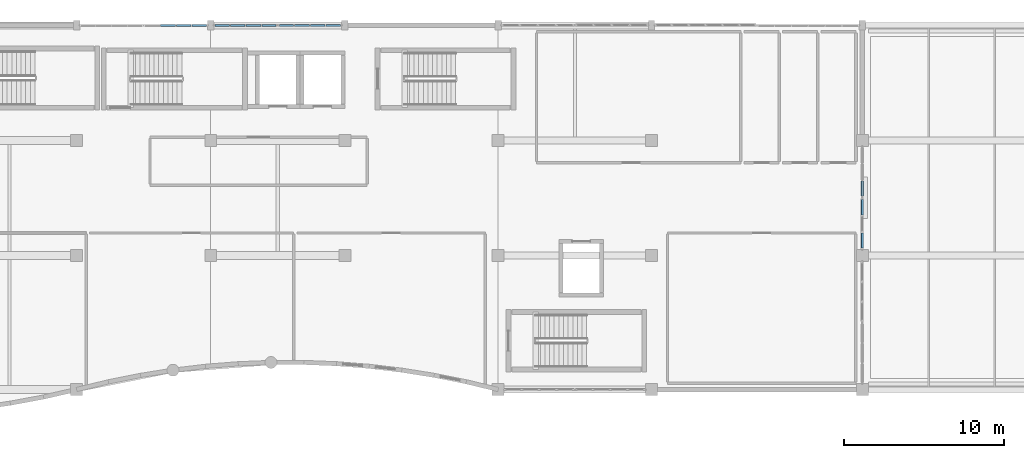
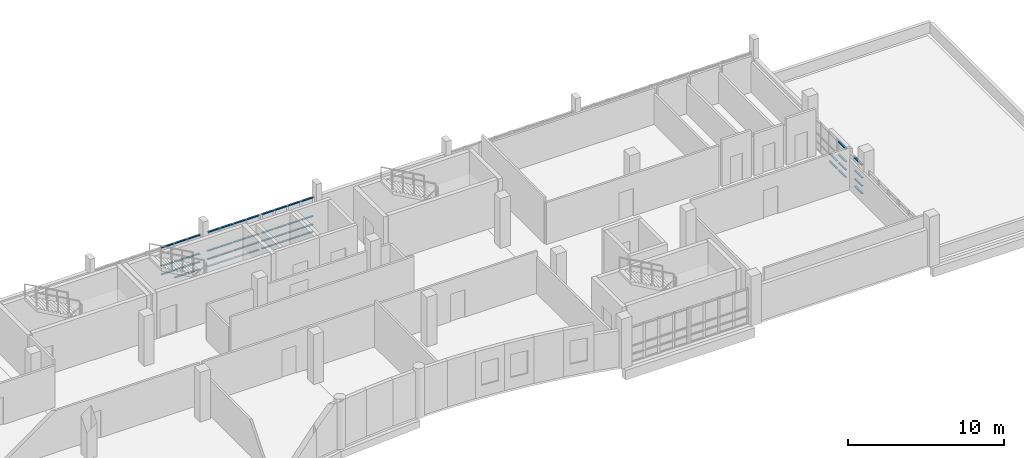
# One storey, part 153 of 188: 53 members, 5 elements without a shape of their own.
"""IFC4 building model written with IfcOpenShell, lengths in metres."""

from ifc_helpers import new_model, si_unit, direction, frame, origin, origin_2d, place, context, subcontext, project, spatial, hollow_rectangle, extrude, material, layer, layer_set, material_profile, profile_set, type_object, element, aggregate, save


model = new_model("IFC4")

# Units and contexts
model_context = context("Model", 3, precision=1e-05, world=origin(), true_north=direction((0.0, 1.0)))
body_context = subcontext(model_context, "Body", "Model", "MODEL_VIEW")
ifc_project = project(units=[si_unit("LENGTHUNIT", "METRE"), si_unit("AREAUNIT", "SQUARE_METRE"), si_unit("VOLUMEUNIT", "CUBIC_METRE"), si_unit("PLANEANGLEUNIT", "RADIAN"), si_unit("MASSUNIT", "GRAM", prefix="KILO")], contexts=[model_context])

# Site, building, storey
site_placement = place(None, origin())
site = spatial("IfcSite", under=ifc_project, at=site_placement, CompositionType="ELEMENT")
building_placement = place(site_placement, origin())
building = spatial("IfcBuilding", under=site, at=building_placement, Name="Kisaragi Civic Commons", CompositionType="ELEMENT")
storey_placement = place(building_placement, frame((0.0, 0.0, 9.60009765625)))
storey = spatial("IfcBuildingStorey", under=building, at=storey_placement, Name="L02", CompositionType="ELEMENT", Elevation=9.60009765625)

# Curtain wall, members
ifc_material = material(Name="Thermally broken anodized aluminium and low-E double glazing", Category="aluminium")
ifc_layer = layer(ifc_material, 0.179931640625, Name="Thermally broken anodized aluminium and low-E double glazing", Category="aluminium")
ifc_layer_set = layer_set([ifc_layer], Name="Thermally broken anodized aluminium and low-E double glazing")
curtain_wall_type = type_object("IfcCurtainWallType", Name="CW-01", PredefinedType="NOTDEFINED", material=ifc_layer_set)
curtain_wall_1_placement = place(storey_placement, origin())
curtain_wall_1 = element("IfcCurtainWall", 1, at=curtain_wall_1_placement, inside=storey, type_object=curtain_wall_type, Name="L02 curtain wall CW-01 CW-V4-L02-082", PredefinedType="NOTDEFINED")
ifc_material_profile = material_profile(ifc_material, hollow_rectangle(XDim=0.139892578125, YDim=0.06494140625, WallThickness=0.00439453125, InnerFilletRadius=0.00439453125, OuterFilletRadius=0.009033203125, at=origin_2d()), Name="CWT-65x140x4.5", Category="aluminium")
ifc_profile_set = profile_set([ifc_material_profile], Name="Thermally broken anodized aluminium and low-E double glazing")
member_type = type_object("IfcMemberType", Name="CWT-02", PredefinedType="USERDEFINED", material=ifc_profile_set)
member_1_placement = place(storey_placement, frame((102.458740234375, 118.800048828125, 0.64990234375), z_axis=(1.0, 0.0, 0.0), x_axis=(0.0, 1.0, 0.0)))
member_1 = element("IfcMember", 2, at=member_1_placement, type_object=member_type, Name="CW-01 transom 2.2", ObjectType="TRANSOM", PredefinedType="USERDEFINED", context=body_context, shape_type="SweptSolid", body=[
    extrude(hollow_rectangle(XDim=0.139892578125, YDim=0.06494140625, WallThickness=0.00439453125, InnerFilletRadius=0.00439453125, OuterFilletRadius=0.009033203125, at=origin_2d()), origin(), (0.0, 0.0, 1.0), 0.921142578125),
])
member_2_placement = place(storey_placement, frame((102.458740234375, 118.800048828125, 1.2998046875), z_axis=(1.0, 0.0, 0.0), x_axis=(0.0, 1.0, 0.0)))
member_2 = element("IfcMember", 3, at=member_2_placement, type_object=member_type, Name="CW-01 transom 2.3", ObjectType="TRANSOM", PredefinedType="USERDEFINED", context=body_context, shape_type="SweptSolid", body=[
    extrude(hollow_rectangle(XDim=0.139892578125, YDim=0.06494140625, WallThickness=0.00439453125, InnerFilletRadius=0.00439453125, OuterFilletRadius=0.009033203125, at=origin_2d()), origin(), (0.0, 0.0, 1.0), 0.921142578125),
])
member_3_placement = place(storey_placement, frame((102.458740234375, 118.800048828125, 2.760009765625), z_axis=(1.0, 0.0, 0.0), x_axis=(0.0, 1.0, 0.0)))
member_3 = element("IfcMember", 4, at=member_3_placement, type_object=member_type, Name="CW-01 transom 2.4", ObjectType="TRANSOM", PredefinedType="USERDEFINED", context=body_context, shape_type="SweptSolid", body=[
    extrude(hollow_rectangle(XDim=0.139892578125, YDim=0.06494140625, WallThickness=0.00439453125, InnerFilletRadius=0.00439453125, OuterFilletRadius=0.009033203125, at=origin_2d()), origin(), (0.0, 0.0, 1.0), 0.921142578125),
])
member_4_placement = place(storey_placement, frame((103.445068359375, 118.800048828125, 0.06982421875), z_axis=(1.0, 0.0, 0.0), x_axis=(0.0, 1.0, 0.0)))
member_4 = element("IfcMember", 5, at=member_4_placement, type_object=member_type, Name="CW-01 transom 3.1", ObjectType="TRANSOM", PredefinedType="USERDEFINED", context=body_context, shape_type="SweptSolid", body=[
    extrude(hollow_rectangle(XDim=0.139892578125, YDim=0.06494140625, WallThickness=0.00439453125, InnerFilletRadius=0.00439453125, OuterFilletRadius=0.009033203125, at=origin_2d()), origin(), (0.0, 0.0, 1.0), 0.921142578125),
])
member_5_placement = place(storey_placement, frame((103.445068359375, 118.800048828125, 0.64990234375), z_axis=(1.0, 0.0, 0.0), x_axis=(0.0, 1.0, 0.0)))
member_5 = element("IfcMember", 6, at=member_5_placement, type_object=member_type, Name="CW-01 transom 3.2", ObjectType="TRANSOM", PredefinedType="USERDEFINED", context=body_context, shape_type="SweptSolid", body=[
    extrude(hollow_rectangle(XDim=0.139892578125, YDim=0.06494140625, WallThickness=0.00439453125, InnerFilletRadius=0.00439453125, OuterFilletRadius=0.009033203125, at=origin_2d()), origin(), (0.0, 0.0, 1.0), 0.921142578125),
])
member_6_placement = place(storey_placement, frame((103.445068359375, 118.800048828125, 1.2998046875), z_axis=(1.0, 0.0, 0.0), x_axis=(0.0, 1.0, 0.0)))
member_6 = element("IfcMember", 7, at=member_6_placement, type_object=member_type, Name="CW-01 transom 3.3", ObjectType="TRANSOM", PredefinedType="USERDEFINED", context=body_context, shape_type="SweptSolid", body=[
    extrude(hollow_rectangle(XDim=0.139892578125, YDim=0.06494140625, WallThickness=0.00439453125, InnerFilletRadius=0.00439453125, OuterFilletRadius=0.009033203125, at=origin_2d()), origin(), (0.0, 0.0, 1.0), 0.921142578125),
])
member_7_placement = place(storey_placement, frame((103.445068359375, 118.800048828125, 2.760009765625), z_axis=(1.0, 0.0, 0.0), x_axis=(0.0, 1.0, 0.0)))
member_7 = element("IfcMember", 8, at=member_7_placement, type_object=member_type, Name="CW-01 transom 3.4", ObjectType="TRANSOM", PredefinedType="USERDEFINED", context=body_context, shape_type="SweptSolid", body=[
    extrude(hollow_rectangle(XDim=0.139892578125, YDim=0.06494140625, WallThickness=0.00439453125, InnerFilletRadius=0.00439453125, OuterFilletRadius=0.009033203125, at=origin_2d()), origin(), (0.0, 0.0, 1.0), 0.921142578125),
])
member_8_placement = place(storey_placement, frame((104.43115234375, 118.800048828125, 0.06982421875), z_axis=(1.0, 0.0, 0.0), x_axis=(0.0, 1.0, 0.0)))
member_8 = element("IfcMember", 9, at=member_8_placement, type_object=member_type, Name="CW-01 transom 4.1", ObjectType="TRANSOM", PredefinedType="USERDEFINED", context=body_context, shape_type="SweptSolid", body=[
    extrude(hollow_rectangle(XDim=0.139892578125, YDim=0.06494140625, WallThickness=0.00439453125, InnerFilletRadius=0.00439453125, OuterFilletRadius=0.009033203125, at=origin_2d()), origin(), (0.0, 0.0, 1.0), 0.888916015625),
])
member_9_placement = place(storey_placement, frame((104.43115234375, 118.800048828125, 0.64990234375), z_axis=(1.0, 0.0, 0.0), x_axis=(0.0, 1.0, 0.0)))
member_9 = element("IfcMember", 10, at=member_9_placement, type_object=member_type, Name="CW-01 transom 4.2", ObjectType="TRANSOM", PredefinedType="USERDEFINED", context=body_context, shape_type="SweptSolid", body=[
    extrude(hollow_rectangle(XDim=0.139892578125, YDim=0.06494140625, WallThickness=0.00439453125, InnerFilletRadius=0.00439453125, OuterFilletRadius=0.009033203125, at=origin_2d()), origin(), (0.0, 0.0, 1.0), 0.888916015625),
])
member_10_placement = place(storey_placement, frame((104.43115234375, 118.800048828125, 1.2998046875), z_axis=(1.0, 0.0, 0.0), x_axis=(0.0, 1.0, 0.0)))
member_10 = element("IfcMember", 11, at=member_10_placement, type_object=member_type, Name="CW-01 transom 4.3", ObjectType="TRANSOM", PredefinedType="USERDEFINED", context=body_context, shape_type="SweptSolid", body=[
    extrude(hollow_rectangle(XDim=0.139892578125, YDim=0.06494140625, WallThickness=0.00439453125, InnerFilletRadius=0.00439453125, OuterFilletRadius=0.009033203125, at=origin_2d()), origin(), (0.0, 0.0, 1.0), 0.888916015625),
])
member_11_placement = place(storey_placement, frame((104.43115234375, 118.800048828125, 2.760009765625), z_axis=(1.0, 0.0, 0.0), x_axis=(0.0, 1.0, 0.0)))
member_11 = element("IfcMember", 12, at=member_11_placement, type_object=member_type, Name="CW-01 transom 4.4", ObjectType="TRANSOM", PredefinedType="USERDEFINED", context=body_context, shape_type="SweptSolid", body=[
    extrude(hollow_rectangle(XDim=0.139892578125, YDim=0.06494140625, WallThickness=0.00439453125, InnerFilletRadius=0.00439453125, OuterFilletRadius=0.009033203125, at=origin_2d()), origin(), (0.0, 0.0, 1.0), 0.888916015625),
])
aggregate(curtain_wall_1, [member_1, member_2, member_3, member_4, member_5, member_6, member_7, member_8, member_9, member_10, member_11])

curtain_wall_2_placement = place(storey_placement, origin())
curtain_wall_2 = element("IfcCurtainWall", 13, at=curtain_wall_2_placement, inside=storey, type_object=curtain_wall_type, Name="L02 curtain wall CW-01 CW-V4-L02-083", PredefinedType="NOTDEFINED")
member_12_placement = place(storey_placement, frame((105.8798828125, 118.800048828125, 0.06982421875), z_axis=(1.0, 0.0, 0.0), x_axis=(0.0, 1.0, 0.0)))
member_12 = element("IfcMember", 14, at=member_12_placement, type_object=member_type, Name="CW-01 transom 1.1", ObjectType="TRANSOM", PredefinedType="USERDEFINED", context=body_context, shape_type="SweptSolid", body=[
    extrude(hollow_rectangle(XDim=0.139892578125, YDim=0.06494140625, WallThickness=0.00439453125, InnerFilletRadius=0.00439453125, OuterFilletRadius=0.009033203125, at=origin_2d()), origin(), (0.0, 0.0, 1.0), 0.888916015625),
])
member_13_placement = place(storey_placement, frame((105.8798828125, 118.800048828125, 0.64990234375), z_axis=(1.0, 0.0, 0.0), x_axis=(0.0, 1.0, 0.0)))
member_13 = element("IfcMember", 15, at=member_13_placement, type_object=member_type, Name="CW-01 transom 1.2", ObjectType="TRANSOM", PredefinedType="USERDEFINED", context=body_context, shape_type="SweptSolid", body=[
    extrude(hollow_rectangle(XDim=0.139892578125, YDim=0.06494140625, WallThickness=0.00439453125, InnerFilletRadius=0.00439453125, OuterFilletRadius=0.009033203125, at=origin_2d()), origin(), (0.0, 0.0, 1.0), 0.888916015625),
])
member_14_placement = place(storey_placement, frame((105.8798828125, 118.800048828125, 1.2998046875), z_axis=(1.0, 0.0, 0.0), x_axis=(0.0, 1.0, 0.0)))
member_14 = element("IfcMember", 16, at=member_14_placement, type_object=member_type, Name="CW-01 transom 1.3", ObjectType="TRANSOM", PredefinedType="USERDEFINED", context=body_context, shape_type="SweptSolid", body=[
    extrude(hollow_rectangle(XDim=0.139892578125, YDim=0.06494140625, WallThickness=0.00439453125, InnerFilletRadius=0.00439453125, OuterFilletRadius=0.009033203125, at=origin_2d()), origin(), (0.0, 0.0, 1.0), 0.888916015625),
])
member_15_placement = place(storey_placement, frame((105.8798828125, 118.800048828125, 2.760009765625), z_axis=(1.0, 0.0, 0.0), x_axis=(0.0, 1.0, 0.0)))
member_15 = element("IfcMember", 17, at=member_15_placement, type_object=member_type, Name="CW-01 transom 1.4", ObjectType="TRANSOM", PredefinedType="USERDEFINED", context=body_context, shape_type="SweptSolid", body=[
    extrude(hollow_rectangle(XDim=0.139892578125, YDim=0.06494140625, WallThickness=0.00439453125, InnerFilletRadius=0.00439453125, OuterFilletRadius=0.009033203125, at=origin_2d()), origin(), (0.0, 0.0, 1.0), 0.888916015625),
])
member_16_placement = place(storey_placement, frame((106.833740234375, 118.800048828125, 0.06982421875), z_axis=(1.0, 0.0, 0.0), x_axis=(0.0, 1.0, 0.0)))
member_16 = element("IfcMember", 18, at=member_16_placement, type_object=member_type, Name="CW-01 transom 2.1", ObjectType="TRANSOM", PredefinedType="USERDEFINED", context=body_context, shape_type="SweptSolid", body=[
    extrude(hollow_rectangle(XDim=0.139892578125, YDim=0.06494140625, WallThickness=0.00439453125, InnerFilletRadius=0.00439453125, OuterFilletRadius=0.009033203125, at=origin_2d()), origin(), (0.0, 0.0, 1.0), 0.921142578125),
])
member_17_placement = place(storey_placement, frame((106.833740234375, 118.800048828125, 0.64990234375), z_axis=(1.0, 0.0, 0.0), x_axis=(0.0, 1.0, 0.0)))
member_17 = element("IfcMember", 19, at=member_17_placement, type_object=member_type, Name="CW-01 transom 2.2", ObjectType="TRANSOM", PredefinedType="USERDEFINED", context=body_context, shape_type="SweptSolid", body=[
    extrude(hollow_rectangle(XDim=0.139892578125, YDim=0.06494140625, WallThickness=0.00439453125, InnerFilletRadius=0.00439453125, OuterFilletRadius=0.009033203125, at=origin_2d()), origin(), (0.0, 0.0, 1.0), 0.921142578125),
])
member_18_placement = place(storey_placement, frame((106.833740234375, 118.800048828125, 1.2998046875), z_axis=(1.0, 0.0, 0.0), x_axis=(0.0, 1.0, 0.0)))
member_18 = element("IfcMember", 20, at=member_18_placement, type_object=member_type, Name="CW-01 transom 2.3", ObjectType="TRANSOM", PredefinedType="USERDEFINED", context=body_context, shape_type="SweptSolid", body=[
    extrude(hollow_rectangle(XDim=0.139892578125, YDim=0.06494140625, WallThickness=0.00439453125, InnerFilletRadius=0.00439453125, OuterFilletRadius=0.009033203125, at=origin_2d()), origin(), (0.0, 0.0, 1.0), 0.921142578125),
])
member_19_placement = place(storey_placement, frame((106.833740234375, 118.800048828125, 2.760009765625), z_axis=(1.0, 0.0, 0.0), x_axis=(0.0, 1.0, 0.0)))
member_19 = element("IfcMember", 21, at=member_19_placement, type_object=member_type, Name="CW-01 transom 2.4", ObjectType="TRANSOM", PredefinedType="USERDEFINED", context=body_context, shape_type="SweptSolid", body=[
    extrude(hollow_rectangle(XDim=0.139892578125, YDim=0.06494140625, WallThickness=0.00439453125, InnerFilletRadius=0.00439453125, OuterFilletRadius=0.009033203125, at=origin_2d()), origin(), (0.0, 0.0, 1.0), 0.921142578125),
])
member_20_placement = place(storey_placement, frame((107.820068359375, 118.800048828125, 0.06982421875), z_axis=(1.0, 0.0, 0.0), x_axis=(0.0, 1.0, 0.0)))
member_20 = element("IfcMember", 22, at=member_20_placement, type_object=member_type, Name="CW-01 transom 3.1", ObjectType="TRANSOM", PredefinedType="USERDEFINED", context=body_context, shape_type="SweptSolid", body=[
    extrude(hollow_rectangle(XDim=0.139892578125, YDim=0.06494140625, WallThickness=0.00439453125, InnerFilletRadius=0.00439453125, OuterFilletRadius=0.009033203125, at=origin_2d()), origin(), (0.0, 0.0, 1.0), 0.921142578125),
])
member_21_placement = place(storey_placement, frame((107.820068359375, 118.800048828125, 0.64990234375), z_axis=(1.0, 0.0, 0.0), x_axis=(0.0, 1.0, 0.0)))
member_21 = element("IfcMember", 23, at=member_21_placement, type_object=member_type, Name="CW-01 transom 3.2", ObjectType="TRANSOM", PredefinedType="USERDEFINED", context=body_context, shape_type="SweptSolid", body=[
    extrude(hollow_rectangle(XDim=0.139892578125, YDim=0.06494140625, WallThickness=0.00439453125, InnerFilletRadius=0.00439453125, OuterFilletRadius=0.009033203125, at=origin_2d()), origin(), (0.0, 0.0, 1.0), 0.921142578125),
])
member_22_placement = place(storey_placement, frame((107.820068359375, 118.800048828125, 1.2998046875), z_axis=(1.0, 0.0, 0.0), x_axis=(0.0, 1.0, 0.0)))
member_22 = element("IfcMember", 24, at=member_22_placement, type_object=member_type, Name="CW-01 transom 3.3", ObjectType="TRANSOM", PredefinedType="USERDEFINED", context=body_context, shape_type="SweptSolid", body=[
    extrude(hollow_rectangle(XDim=0.139892578125, YDim=0.06494140625, WallThickness=0.00439453125, InnerFilletRadius=0.00439453125, OuterFilletRadius=0.009033203125, at=origin_2d()), origin(), (0.0, 0.0, 1.0), 0.921142578125),
])
member_23_placement = place(storey_placement, frame((107.820068359375, 118.800048828125, 2.760009765625), z_axis=(1.0, 0.0, 0.0), x_axis=(0.0, 1.0, 0.0)))
member_23 = element("IfcMember", 25, at=member_23_placement, type_object=member_type, Name="CW-01 transom 3.4", ObjectType="TRANSOM", PredefinedType="USERDEFINED", context=body_context, shape_type="SweptSolid", body=[
    extrude(hollow_rectangle(XDim=0.139892578125, YDim=0.06494140625, WallThickness=0.00439453125, InnerFilletRadius=0.00439453125, OuterFilletRadius=0.009033203125, at=origin_2d()), origin(), (0.0, 0.0, 1.0), 0.921142578125),
])
member_24_placement = place(storey_placement, frame((108.80615234375, 118.800048828125, 0.06982421875), z_axis=(1.0, 0.0, 0.0), x_axis=(0.0, 1.0, 0.0)))
member_24 = element("IfcMember", 26, at=member_24_placement, type_object=member_type, Name="CW-01 transom 4.1", ObjectType="TRANSOM", PredefinedType="USERDEFINED", context=body_context, shape_type="SweptSolid", body=[
    extrude(hollow_rectangle(XDim=0.139892578125, YDim=0.06494140625, WallThickness=0.00439453125, InnerFilletRadius=0.00439453125, OuterFilletRadius=0.009033203125, at=origin_2d()), origin(), (0.0, 0.0, 1.0), 0.888916015625),
])
member_25_placement = place(storey_placement, frame((108.80615234375, 118.800048828125, 0.64990234375), z_axis=(1.0, 0.0, 0.0), x_axis=(0.0, 1.0, 0.0)))
member_25 = element("IfcMember", 27, at=member_25_placement, type_object=member_type, Name="CW-01 transom 4.2", ObjectType="TRANSOM", PredefinedType="USERDEFINED", context=body_context, shape_type="SweptSolid", body=[
    extrude(hollow_rectangle(XDim=0.139892578125, YDim=0.06494140625, WallThickness=0.00439453125, InnerFilletRadius=0.00439453125, OuterFilletRadius=0.009033203125, at=origin_2d()), origin(), (0.0, 0.0, 1.0), 0.888916015625),
])
member_26_placement = place(storey_placement, frame((108.80615234375, 118.800048828125, 1.2998046875), z_axis=(1.0, 0.0, 0.0), x_axis=(0.0, 1.0, 0.0)))
member_26 = element("IfcMember", 28, at=member_26_placement, type_object=member_type, Name="CW-01 transom 4.3", ObjectType="TRANSOM", PredefinedType="USERDEFINED", context=body_context, shape_type="SweptSolid", body=[
    extrude(hollow_rectangle(XDim=0.139892578125, YDim=0.06494140625, WallThickness=0.00439453125, InnerFilletRadius=0.00439453125, OuterFilletRadius=0.009033203125, at=origin_2d()), origin(), (0.0, 0.0, 1.0), 0.888916015625),
])
member_27_placement = place(storey_placement, frame((108.80615234375, 118.800048828125, 2.760009765625), z_axis=(1.0, 0.0, 0.0), x_axis=(0.0, 1.0, 0.0)))
member_27 = element("IfcMember", 29, at=member_27_placement, type_object=member_type, Name="CW-01 transom 4.4", ObjectType="TRANSOM", PredefinedType="USERDEFINED", context=body_context, shape_type="SweptSolid", body=[
    extrude(hollow_rectangle(XDim=0.139892578125, YDim=0.06494140625, WallThickness=0.00439453125, InnerFilletRadius=0.00439453125, OuterFilletRadius=0.009033203125, at=origin_2d()), origin(), (0.0, 0.0, 1.0), 0.888916015625),
])
aggregate(curtain_wall_2, [member_12, member_13, member_14, member_15, member_16, member_17, member_18, member_19, member_20, member_21, member_22, member_23, member_24, member_25, member_26, member_27])

curtain_wall_3_placement = place(storey_placement, origin())
curtain_wall_3 = element("IfcCurtainWall", 30, at=curtain_wall_3_placement, inside=storey, type_object=curtain_wall_type, Name="L02 curtain wall CW-01 CW-V4-L02-084", PredefinedType="NOTDEFINED")
member_28_placement = place(storey_placement, frame((109.905029296875, 118.800048828125, 0.06982421875), z_axis=(1.0, 0.0, 0.0), x_axis=(0.0, 1.0, 0.0)))
member_28 = element("IfcMember", 31, at=member_28_placement, type_object=member_type, Name="CW-01 transom 1.1", ObjectType="TRANSOM", PredefinedType="USERDEFINED", context=body_context, shape_type="SweptSolid", body=[
    extrude(hollow_rectangle(XDim=0.139892578125, YDim=0.06494140625, WallThickness=0.00439453125, InnerFilletRadius=0.00439453125, OuterFilletRadius=0.009033203125, at=origin_2d()), origin(), (0.0, 0.0, 1.0), 0.888671875),
])
member_29_placement = place(storey_placement, frame((109.905029296875, 118.800048828125, 0.64990234375), z_axis=(1.0, 0.0, 0.0), x_axis=(0.0, 1.0, 0.0)))
member_29 = element("IfcMember", 32, at=member_29_placement, type_object=member_type, Name="CW-01 transom 1.2", ObjectType="TRANSOM", PredefinedType="USERDEFINED", context=body_context, shape_type="SweptSolid", body=[
    extrude(hollow_rectangle(XDim=0.139892578125, YDim=0.06494140625, WallThickness=0.00439453125, InnerFilletRadius=0.00439453125, OuterFilletRadius=0.009033203125, at=origin_2d()), origin(), (0.0, 0.0, 1.0), 0.888671875),
])
member_30_placement = place(storey_placement, frame((109.905029296875, 118.800048828125, 1.2998046875), z_axis=(1.0, 0.0, 0.0), x_axis=(0.0, 1.0, 0.0)))
member_30 = element("IfcMember", 33, at=member_30_placement, type_object=member_type, Name="CW-01 transom 1.3", ObjectType="TRANSOM", PredefinedType="USERDEFINED", context=body_context, shape_type="SweptSolid", body=[
    extrude(hollow_rectangle(XDim=0.139892578125, YDim=0.06494140625, WallThickness=0.00439453125, InnerFilletRadius=0.00439453125, OuterFilletRadius=0.009033203125, at=origin_2d()), origin(), (0.0, 0.0, 1.0), 0.888671875),
])
member_31_placement = place(storey_placement, frame((109.905029296875, 118.800048828125, 2.760009765625), z_axis=(1.0, 0.0, 0.0), x_axis=(0.0, 1.0, 0.0)))
member_31 = element("IfcMember", 34, at=member_31_placement, type_object=member_type, Name="CW-01 transom 1.4", ObjectType="TRANSOM", PredefinedType="USERDEFINED", context=body_context, shape_type="SweptSolid", body=[
    extrude(hollow_rectangle(XDim=0.139892578125, YDim=0.06494140625, WallThickness=0.00439453125, InnerFilletRadius=0.00439453125, OuterFilletRadius=0.009033203125, at=origin_2d()), origin(), (0.0, 0.0, 1.0), 0.888671875),
])
member_32_placement = place(storey_placement, frame((110.858642578125, 118.800048828125, 0.06982421875), z_axis=(1.0, 0.0, 0.0), x_axis=(0.0, 1.0, 0.0)))
member_32 = element("IfcMember", 35, at=member_32_placement, type_object=member_type, Name="CW-01 transom 2.1", ObjectType="TRANSOM", PredefinedType="USERDEFINED", context=body_context, shape_type="SweptSolid", body=[
    extrude(hollow_rectangle(XDim=0.139892578125, YDim=0.06494140625, WallThickness=0.00439453125, InnerFilletRadius=0.00439453125, OuterFilletRadius=0.009033203125, at=origin_2d()), origin(), (0.0, 0.0, 1.0), 0.92138671875),
])
member_33_placement = place(storey_placement, frame((110.858642578125, 118.800048828125, 0.64990234375), z_axis=(1.0, 0.0, 0.0), x_axis=(0.0, 1.0, 0.0)))
member_33 = element("IfcMember", 36, at=member_33_placement, type_object=member_type, Name="CW-01 transom 2.2", ObjectType="TRANSOM", PredefinedType="USERDEFINED", context=body_context, shape_type="SweptSolid", body=[
    extrude(hollow_rectangle(XDim=0.139892578125, YDim=0.06494140625, WallThickness=0.00439453125, InnerFilletRadius=0.00439453125, OuterFilletRadius=0.009033203125, at=origin_2d()), origin(), (0.0, 0.0, 1.0), 0.92138671875),
])
member_34_placement = place(storey_placement, frame((110.858642578125, 118.800048828125, 1.2998046875), z_axis=(1.0, 0.0, 0.0), x_axis=(0.0, 1.0, 0.0)))
member_34 = element("IfcMember", 37, at=member_34_placement, type_object=member_type, Name="CW-01 transom 2.3", ObjectType="TRANSOM", PredefinedType="USERDEFINED", context=body_context, shape_type="SweptSolid", body=[
    extrude(hollow_rectangle(XDim=0.139892578125, YDim=0.06494140625, WallThickness=0.00439453125, InnerFilletRadius=0.00439453125, OuterFilletRadius=0.009033203125, at=origin_2d()), origin(), (0.0, 0.0, 1.0), 0.92138671875),
])
member_35_placement = place(storey_placement, frame((110.858642578125, 118.800048828125, 2.760009765625), z_axis=(1.0, 0.0, 0.0), x_axis=(0.0, 1.0, 0.0)))
member_35 = element("IfcMember", 38, at=member_35_placement, type_object=member_type, Name="CW-01 transom 2.4", ObjectType="TRANSOM", PredefinedType="USERDEFINED", context=body_context, shape_type="SweptSolid", body=[
    extrude(hollow_rectangle(XDim=0.139892578125, YDim=0.06494140625, WallThickness=0.00439453125, InnerFilletRadius=0.00439453125, OuterFilletRadius=0.009033203125, at=origin_2d()), origin(), (0.0, 0.0, 1.0), 0.92138671875),
])
member_36_placement = place(storey_placement, frame((111.844970703125, 118.800048828125, 0.06982421875), z_axis=(1.0, 0.0, 0.0), x_axis=(0.0, 1.0, 0.0)))
member_36 = element("IfcMember", 39, at=member_36_placement, type_object=member_type, Name="CW-01 transom 3.1", ObjectType="TRANSOM", PredefinedType="USERDEFINED", context=body_context, shape_type="SweptSolid", body=[
    extrude(hollow_rectangle(XDim=0.139892578125, YDim=0.06494140625, WallThickness=0.00439453125, InnerFilletRadius=0.00439453125, OuterFilletRadius=0.009033203125, at=origin_2d()), origin(), (0.0, 0.0, 1.0), 0.92138671875),
])
member_37_placement = place(storey_placement, frame((111.844970703125, 118.800048828125, 0.64990234375), z_axis=(1.0, 0.0, 0.0), x_axis=(0.0, 1.0, 0.0)))
member_37 = element("IfcMember", 40, at=member_37_placement, type_object=member_type, Name="CW-01 transom 3.2", ObjectType="TRANSOM", PredefinedType="USERDEFINED", context=body_context, shape_type="SweptSolid", body=[
    extrude(hollow_rectangle(XDim=0.139892578125, YDim=0.06494140625, WallThickness=0.00439453125, InnerFilletRadius=0.00439453125, OuterFilletRadius=0.009033203125, at=origin_2d()), origin(), (0.0, 0.0, 1.0), 0.92138671875),
])
member_38_placement = place(storey_placement, frame((111.844970703125, 118.800048828125, 1.2998046875), z_axis=(1.0, 0.0, 0.0), x_axis=(0.0, 1.0, 0.0)))
member_38 = element("IfcMember", 41, at=member_38_placement, type_object=member_type, Name="CW-01 transom 3.3", ObjectType="TRANSOM", PredefinedType="USERDEFINED", context=body_context, shape_type="SweptSolid", body=[
    extrude(hollow_rectangle(XDim=0.139892578125, YDim=0.06494140625, WallThickness=0.00439453125, InnerFilletRadius=0.00439453125, OuterFilletRadius=0.009033203125, at=origin_2d()), origin(), (0.0, 0.0, 1.0), 0.92138671875),
])
member_39_placement = place(storey_placement, frame((111.844970703125, 118.800048828125, 2.760009765625), z_axis=(1.0, 0.0, 0.0), x_axis=(0.0, 1.0, 0.0)))
member_39 = element("IfcMember", 42, at=member_39_placement, type_object=member_type, Name="CW-01 transom 3.4", ObjectType="TRANSOM", PredefinedType="USERDEFINED", context=body_context, shape_type="SweptSolid", body=[
    extrude(hollow_rectangle(XDim=0.139892578125, YDim=0.06494140625, WallThickness=0.00439453125, InnerFilletRadius=0.00439453125, OuterFilletRadius=0.009033203125, at=origin_2d()), origin(), (0.0, 0.0, 1.0), 0.92138671875),
])
member_40_placement = place(storey_placement, frame((112.831298828125, 118.800048828125, 0.06982421875), z_axis=(1.0, 0.0, 0.0), x_axis=(0.0, 1.0, 0.0)))
member_40 = element("IfcMember", 43, at=member_40_placement, type_object=member_type, Name="CW-01 transom 4.1", ObjectType="TRANSOM", PredefinedType="USERDEFINED", context=body_context, shape_type="SweptSolid", body=[
    extrude(hollow_rectangle(XDim=0.139892578125, YDim=0.06494140625, WallThickness=0.00439453125, InnerFilletRadius=0.00439453125, OuterFilletRadius=0.009033203125, at=origin_2d()), origin(), (0.0, 0.0, 1.0), 0.888671875),
])
member_41_placement = place(storey_placement, frame((112.831298828125, 118.800048828125, 0.64990234375), z_axis=(1.0, 0.0, 0.0), x_axis=(0.0, 1.0, 0.0)))
member_41 = element("IfcMember", 44, at=member_41_placement, type_object=member_type, Name="CW-01 transom 4.2", ObjectType="TRANSOM", PredefinedType="USERDEFINED", context=body_context, shape_type="SweptSolid", body=[
    extrude(hollow_rectangle(XDim=0.139892578125, YDim=0.06494140625, WallThickness=0.00439453125, InnerFilletRadius=0.00439453125, OuterFilletRadius=0.009033203125, at=origin_2d()), origin(), (0.0, 0.0, 1.0), 0.888671875),
])
member_42_placement = place(storey_placement, frame((112.831298828125, 118.800048828125, 1.2998046875), z_axis=(1.0, 0.0, 0.0), x_axis=(0.0, 1.0, 0.0)))
member_42 = element("IfcMember", 45, at=member_42_placement, type_object=member_type, Name="CW-01 transom 4.3", ObjectType="TRANSOM", PredefinedType="USERDEFINED", context=body_context, shape_type="SweptSolid", body=[
    extrude(hollow_rectangle(XDim=0.139892578125, YDim=0.06494140625, WallThickness=0.00439453125, InnerFilletRadius=0.00439453125, OuterFilletRadius=0.009033203125, at=origin_2d()), origin(), (0.0, 0.0, 1.0), 0.888671875),
])
member_43_placement = place(storey_placement, frame((112.831298828125, 118.800048828125, 2.760009765625), z_axis=(1.0, 0.0, 0.0), x_axis=(0.0, 1.0, 0.0)))
member_43 = element("IfcMember", 46, at=member_43_placement, type_object=member_type, Name="CW-01 transom 4.4", ObjectType="TRANSOM", PredefinedType="USERDEFINED", context=body_context, shape_type="SweptSolid", body=[
    extrude(hollow_rectangle(XDim=0.139892578125, YDim=0.06494140625, WallThickness=0.00439453125, InnerFilletRadius=0.00439453125, OuterFilletRadius=0.009033203125, at=origin_2d()), origin(), (0.0, 0.0, 1.0), 0.888671875),
])
aggregate(curtain_wall_3, [member_28, member_29, member_30, member_31, member_32, member_33, member_34, member_35, member_36, member_37, member_38, member_39, member_40, member_41, member_42, member_43])

curtain_wall_4_placement = place(storey_placement, origin())
curtain_wall_4 = element("IfcCurtainWall", 47, at=curtain_wall_4_placement, inside=storey, type_object=curtain_wall_type, Name="L02 curtain wall CW-01 CW-V4-L02-089", PredefinedType="NOTDEFINED")
member_44_placement = place(storey_placement, frame((146.39990234375, 109.064208984375, 0.06982421875), z_axis=(0.0, -1.0, 0.0), x_axis=(1.0, 0.0, 0.0)))
member_44 = element("IfcMember", 48, at=member_44_placement, type_object=member_type, Name="CW-01 transom 3.1", ObjectType="TRANSOM", PredefinedType="USERDEFINED", context=body_context, shape_type="SweptSolid", body=[
    extrude(hollow_rectangle(XDim=0.139892578125, YDim=0.06494140625, WallThickness=0.00439453125, InnerFilletRadius=0.00439453125, OuterFilletRadius=0.009033203125, at=origin_2d()), origin(), (0.0, 0.0, 1.0), 0.959228515625),
])
member_45_placement = place(storey_placement, frame((146.39990234375, 109.064208984375, 0.64990234375), z_axis=(0.0, -1.0, 0.0), x_axis=(1.0, 0.0, 0.0)))
member_45 = element("IfcMember", 49, at=member_45_placement, type_object=member_type, Name="CW-01 transom 3.2", ObjectType="TRANSOM", PredefinedType="USERDEFINED", context=body_context, shape_type="SweptSolid", body=[
    extrude(hollow_rectangle(XDim=0.139892578125, YDim=0.06494140625, WallThickness=0.00439453125, InnerFilletRadius=0.00439453125, OuterFilletRadius=0.009033203125, at=origin_2d()), origin(), (0.0, 0.0, 1.0), 0.959228515625),
])
aggregate(curtain_wall_4, [member_44, member_45])

curtain_wall_5_placement = place(storey_placement, origin())
curtain_wall_5 = element("IfcCurtainWall", 50, at=curtain_wall_5_placement, inside=storey, type_object=curtain_wall_type, Name="L02 curtain wall CW-01 CW-V4-L02-090", PredefinedType="NOTDEFINED")
member_46_placement = place(storey_placement, frame((146.39990234375, 107.89501953125, 0.06982421875), z_axis=(0.0, -1.0, 0.0), x_axis=(1.0, 0.0, 0.0)))
member_46 = element("IfcMember", 51, at=member_46_placement, type_object=member_type, Name="CW-01 transom 1.1", ObjectType="TRANSOM", PredefinedType="USERDEFINED", context=body_context, shape_type="SweptSolid", body=[
    extrude(hollow_rectangle(XDim=0.139892578125, YDim=0.06494140625, WallThickness=0.00439453125, InnerFilletRadius=0.00439453125, OuterFilletRadius=0.009033203125, at=origin_2d()), origin(), (0.0, 0.0, 1.0), 0.959228515625),
])
member_47_placement = place(storey_placement, frame((146.39990234375, 107.89501953125, 0.64990234375), z_axis=(0.0, -1.0, 0.0), x_axis=(1.0, 0.0, 0.0)))
member_47 = element("IfcMember", 52, at=member_47_placement, type_object=member_type, Name="CW-01 transom 1.2", ObjectType="TRANSOM", PredefinedType="USERDEFINED", context=body_context, shape_type="SweptSolid", body=[
    extrude(hollow_rectangle(XDim=0.139892578125, YDim=0.06494140625, WallThickness=0.00439453125, InnerFilletRadius=0.00439453125, OuterFilletRadius=0.009033203125, at=origin_2d()), origin(), (0.0, 0.0, 1.0), 0.959228515625),
])
member_48_placement = place(storey_placement, frame((146.39990234375, 107.89501953125, 1.2998046875), z_axis=(0.0, -1.0, 0.0), x_axis=(1.0, 0.0, 0.0)))
member_48 = element("IfcMember", 53, at=member_48_placement, type_object=member_type, Name="CW-01 transom 1.3", ObjectType="TRANSOM", PredefinedType="USERDEFINED", context=body_context, shape_type="SweptSolid", body=[
    extrude(hollow_rectangle(XDim=0.139892578125, YDim=0.06494140625, WallThickness=0.00439453125, InnerFilletRadius=0.00439453125, OuterFilletRadius=0.009033203125, at=origin_2d()), origin(), (0.0, 0.0, 1.0), 0.959228515625),
])
member_49_placement = place(storey_placement, frame((146.39990234375, 107.89501953125, 2.309814453125), z_axis=(0.0, -1.0, 0.0), x_axis=(1.0, 0.0, 0.0)))
member_49 = element("IfcMember", 54, at=member_49_placement, type_object=member_type, Name="CW-01 transom 1.4", ObjectType="TRANSOM", PredefinedType="USERDEFINED", context=body_context, shape_type="SweptSolid", body=[
    extrude(hollow_rectangle(XDim=0.139892578125, YDim=0.06494140625, WallThickness=0.00439453125, InnerFilletRadius=0.00439453125, OuterFilletRadius=0.009033203125, at=origin_2d()), origin(), (0.0, 0.0, 1.0), 0.959228515625),
])
member_50_placement = place(storey_placement, frame((146.39990234375, 105.814208984375, 0.06982421875), z_axis=(0.0, -1.0, 0.0), x_axis=(1.0, 0.0, 0.0)))
member_50 = element("IfcMember", 55, at=member_50_placement, type_object=member_type, Name="CW-01 transom 3.1", ObjectType="TRANSOM", PredefinedType="USERDEFINED", context=body_context, shape_type="SweptSolid", body=[
    extrude(hollow_rectangle(XDim=0.139892578125, YDim=0.06494140625, WallThickness=0.00439453125, InnerFilletRadius=0.00439453125, OuterFilletRadius=0.009033203125, at=origin_2d()), origin(), (0.0, 0.0, 1.0), 0.959228515625),
])
member_51_placement = place(storey_placement, frame((146.39990234375, 105.814208984375, 0.64990234375), z_axis=(0.0, -1.0, 0.0), x_axis=(1.0, 0.0, 0.0)))
member_51 = element("IfcMember", 56, at=member_51_placement, type_object=member_type, Name="CW-01 transom 3.2", ObjectType="TRANSOM", PredefinedType="USERDEFINED", context=body_context, shape_type="SweptSolid", body=[
    extrude(hollow_rectangle(XDim=0.139892578125, YDim=0.06494140625, WallThickness=0.00439453125, InnerFilletRadius=0.00439453125, OuterFilletRadius=0.009033203125, at=origin_2d()), origin(), (0.0, 0.0, 1.0), 0.959228515625),
])
member_52_placement = place(storey_placement, frame((146.39990234375, 105.814208984375, 1.2998046875), z_axis=(0.0, -1.0, 0.0), x_axis=(1.0, 0.0, 0.0)))
member_52 = element("IfcMember", 57, at=member_52_placement, type_object=member_type, Name="CW-01 transom 3.3", ObjectType="TRANSOM", PredefinedType="USERDEFINED", context=body_context, shape_type="SweptSolid", body=[
    extrude(hollow_rectangle(XDim=0.139892578125, YDim=0.06494140625, WallThickness=0.00439453125, InnerFilletRadius=0.00439453125, OuterFilletRadius=0.009033203125, at=origin_2d()), origin(), (0.0, 0.0, 1.0), 0.959228515625),
])
member_53_placement = place(storey_placement, frame((146.39990234375, 105.814208984375, 2.309814453125), z_axis=(0.0, -1.0, 0.0), x_axis=(1.0, 0.0, 0.0)))
member_53 = element("IfcMember", 58, at=member_53_placement, type_object=member_type, Name="CW-01 transom 3.4", ObjectType="TRANSOM", PredefinedType="USERDEFINED", context=body_context, shape_type="SweptSolid", body=[
    extrude(hollow_rectangle(XDim=0.139892578125, YDim=0.06494140625, WallThickness=0.00439453125, InnerFilletRadius=0.00439453125, OuterFilletRadius=0.009033203125, at=origin_2d()), origin(), (0.0, 0.0, 1.0), 0.959228515625),
])
aggregate(curtain_wall_5, [member_46, member_47, member_48, member_49, member_50, member_51, member_52, member_53])

save(model, "model.ifc")
